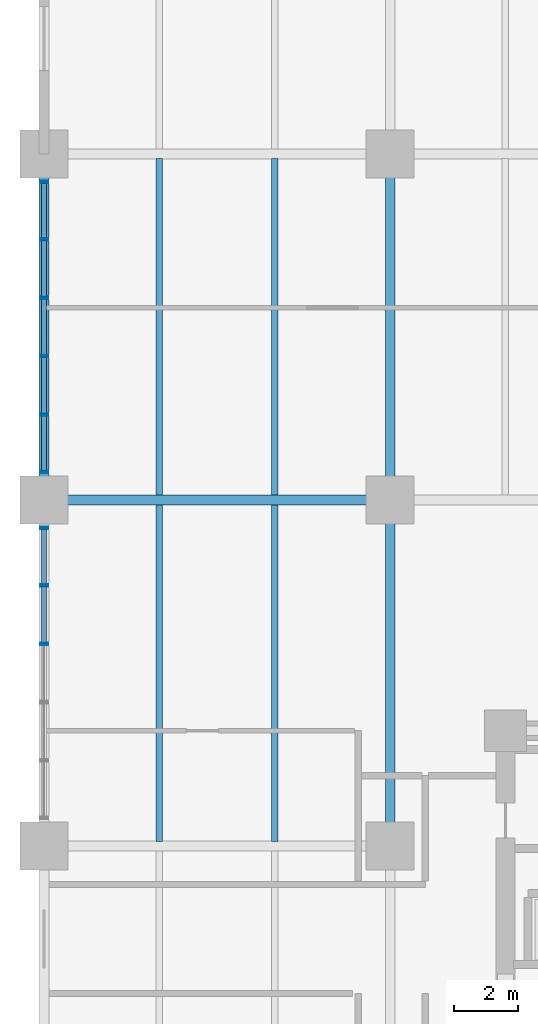
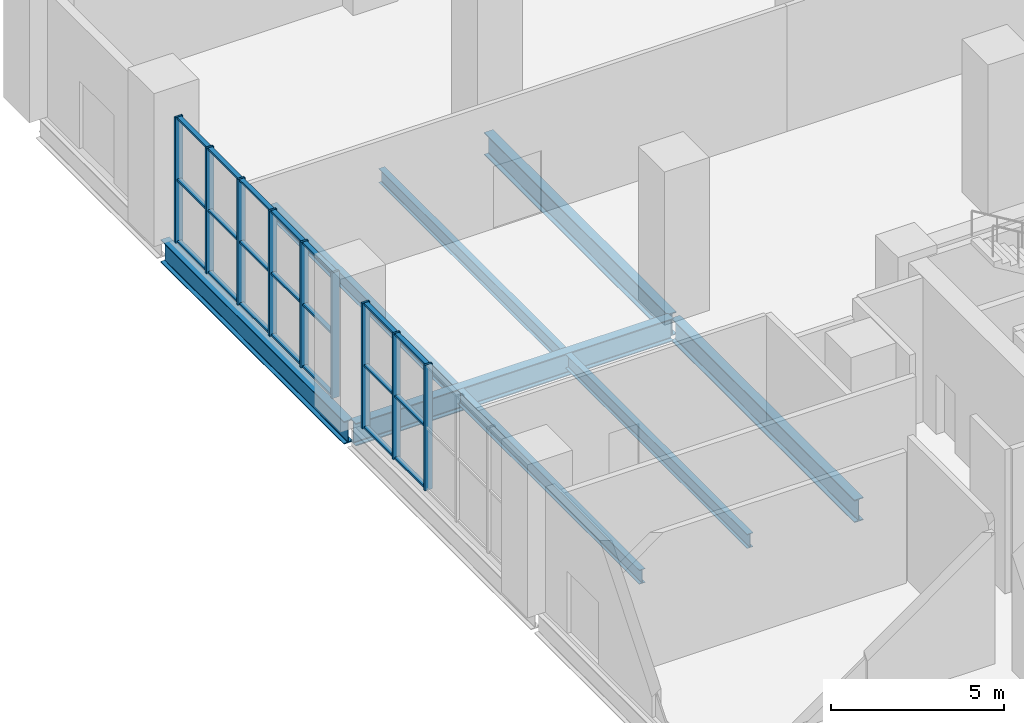
# One storey, part 10 of 22: 30 members, 8 beams, 2 elements without a shape of their own.
"""IFC4 building model written with IfcOpenShell, lengths in metres."""

from ifc_helpers import new_model, si_unit, direction, frame, origin, origin_2d, place, context, subcontext, project, spatial, hollow_rectangle, i_section, extrude, material, layer, layer_set, material_profile, profile_set, type_object, element, aggregate, save


model = new_model("IFC4")

# Units and contexts
model_context = context("Model", 3, precision=1e-05, world=origin(), true_north=direction((0.0, 1.0)))
body_context = subcontext(model_context, "Body", "Model", "MODEL_VIEW")
ifc_project = project(units=[si_unit("LENGTHUNIT", "METRE"), si_unit("AREAUNIT", "SQUARE_METRE"), si_unit("VOLUMEUNIT", "CUBIC_METRE"), si_unit("PLANEANGLEUNIT", "RADIAN"), si_unit("MASSUNIT", "GRAM", prefix="KILO")], contexts=[model_context])

# Site, building, storey
site_placement = place(None, origin())
site = spatial("IfcSite", under=ifc_project, at=site_placement, CompositionType="ELEMENT")
building_placement = place(site_placement, origin())
building = spatial("IfcBuilding", under=site, at=building_placement, Name="Solnavia Interchange Tower", CompositionType="ELEMENT")
storey_placement = place(building_placement, origin())
storey = spatial("IfcBuildingStorey", under=building, at=storey_placement, Name="L00", CompositionType="ELEMENT", Elevation=0.0)

# Beams
ifc_material_1 = material(Name="Steel S460", Category="steel")
ifc_material_profile_1 = material_profile(ifc_material_1, i_section(OverallWidth=0.300048828125, OverallDepth=0.800048828125, WebThickness=0.017578125, FlangeThickness=0.032958984375, FilletRadius=0.030029296875, at=origin_2d()), Name="HEB 800")
ifc_profile_set_1 = profile_set([ifc_material_profile_1], Name="Steel S460")
beam_type_1 = type_object("IfcBeamType", Name="Beam-Girder-HEB800", PredefinedType="BEAM", material=ifc_profile_set_1)
beam_placement = place(storey_placement, frame((0.10009765625, 32.39990234375, -0.75), z_axis=(1.0, 0.0, 0.0), x_axis=(0.0, 1.0, 0.0)))
element("IfcBeam", 1, at=beam_placement, inside=storey, type_object=beam_type_1, Name="GRD-L00-24 Podium primary girder", PredefinedType="BEAM", context=body_context, shape_type="SweptSolid", body=[
    extrude(i_section(OverallWidth=0.300048828125, OverallDepth=0.800048828125, WebThickness=0.017578125, FlangeThickness=0.032958984375, FilletRadius=0.030029296875, at=origin_2d()), origin(), (0.0, 0.0, 1.0), 10.599853515625),
])
for number, where, z_axis, x_axis, name in (
    (2, (0.0, 32.5, -0.75), (0.0, 1.0, 0.0), (-1.0, 0.0, 0.0), "GRD-L00-46 Podium primary girder"),
    (3, (10.800048828125, 21.699951171875, -0.75), (0.0, 1.0, 0.0), (-1.0, 0.0, 0.0), "GRD-L00-50 Podium primary girder"),
    (4, (10.800048828125, 32.5, -0.75), (0.0, 1.0, 0.0), (-1.0, 0.0, 0.0), "GRD-L00-51 Podium primary girder"),
):
    element("IfcBeam", number, at=place(storey_placement, frame(where, z_axis=z_axis, x_axis=x_axis)), inside=storey, type_object=beam_type_1, Name=name, PredefinedType="BEAM", context=body_context, shape_type="SweptSolid", body=[
        extrude(i_section(OverallWidth=0.300048828125, OverallDepth=0.800048828125, WebThickness=0.017578125, FlangeThickness=0.032958984375, FilletRadius=0.030029296875, at=origin_2d()), origin(), (0.0, 0.0, 1.0), 10.60009765625),
    ])
ifc_material_2 = material(Name="Steel S355", Category="steel")
ifc_material_profile_2 = material_profile(ifc_material_2, i_section(OverallWidth=0.199951171875, OverallDepth=0.5, WebThickness=0.01025390625, FlangeThickness=0.01611328125, FilletRadius=0.02099609375, at=origin_2d()), Name="IPE 500")
ifc_profile_set_2 = profile_set([ifc_material_profile_2], Name="Steel S355")
beam_type_2 = type_object("IfcBeamType", Name="Beam-Joist-IPE500", PredefinedType="JOIST", material=ifc_profile_set_2)
for number, where, z_axis, x_axis, name in (
    (5, (3.60009765625, 21.75, -0.60009765625), (0.0, 1.0, 0.0), (-1.0, 0.0, 0.0), "JST-L00-03 Podium composite floor joist"),
    (6, (3.60009765625, 32.550048828125, -0.60009765625), (0.0, 1.0, 0.0), (-1.0, 0.0, 0.0), "JST-L00-04 Podium composite floor joist"),
    (7, (7.199951171875, 21.75, -0.60009765625), (0.0, 1.0, 0.0), (-1.0, 0.0, 0.0), "JST-L00-08 Podium composite floor joist"),
    (8, (7.199951171875, 32.550048828125, -0.60009765625), (0.0, 1.0, 0.0), (-1.0, 0.0, 0.0), "JST-L00-09 Podium composite floor joist"),
):
    element("IfcBeam", number, at=place(storey_placement, frame(where, z_axis=z_axis, x_axis=x_axis)), inside=storey, type_object=beam_type_2, Name=name, PredefinedType="JOIST", context=body_context, shape_type="SweptSolid", body=[
        extrude(i_section(OverallWidth=0.199951171875, OverallDepth=0.5, WebThickness=0.01025390625, FlangeThickness=0.01611328125, FilletRadius=0.02099609375, at=origin_2d()), origin(), (0.0, 0.0, 1.0), 10.5),
    ])

# Curtain wall, members
ifc_material_3 = material(Name="Aluminium Alloy 6063-T6", Category="aluminium")
ifc_layer = layer(ifc_material_3, 0.27001953125)
ifc_layer_set = layer_set([ifc_layer], Name="Aluminium Alloy 6063-T6")
curtain_wall_type = type_object("IfcCurtainWallType", Name="CurtainWall-Podium-CTW1", PredefinedType="NOTDEFINED", material=ifc_layer_set)
curtain_wall_1_placement = place(storey_placement, origin())
curtain_wall_1 = element("IfcCurtainWall", 9, at=curtain_wall_1_placement, inside=storey, type_object=curtain_wall_type, Name="CTW-L00-W21 CTW-1 curtain wall", PredefinedType="NOTDEFINED")
ifc_material_profile_3 = material_profile(ifc_material_3, hollow_rectangle(XDim=0.080078125, YDim=0.25, WallThickness=0.006103515625, at=origin_2d()), Name="ALU 250x80x6")
ifc_profile_set_3 = profile_set([ifc_material_profile_3], Name="Aluminium Alloy 6063-T6")
member_type_1 = type_object("IfcMemberType", Name="CW-Mullion-CWM-1", PredefinedType="MULLION", material=ifc_profile_set_3)
member_1_placement = place(storey_placement, frame((0.0, 27.912109375, 0.0), z_axis=(0.0, 0.0, 1.0), x_axis=(0.0, 1.0, 0.0)))
member_1 = element("IfcMember", 10, at=member_1_placement, type_object=member_type_1, Name="CTW-1 mullion 4", PredefinedType="MULLION", context=body_context, shape_type="SweptSolid", body=[
    extrude(hollow_rectangle(XDim=0.080078125, YDim=0.25, WallThickness=0.006103515625, at=origin_2d()), origin(), (0.0, 0.0, 1.0), 4.429931640625),
])
member_2_placement = place(storey_placement, frame((0.0, 29.736083984375, 0.0), z_axis=(0.0, 0.0, 1.0), x_axis=(0.0, 1.0, 0.0)))
member_2 = element("IfcMember", 11, at=member_2_placement, type_object=member_type_1, Name="CTW-1 mullion 5", PredefinedType="MULLION", context=body_context, shape_type="SweptSolid", body=[
    extrude(hollow_rectangle(XDim=0.080078125, YDim=0.25, WallThickness=0.006103515625, at=origin_2d()), origin(), (0.0, 0.0, 1.0), 4.429931640625),
])
member_3_placement = place(storey_placement, frame((0.0, 31.52001953125, 0.0), z_axis=(0.0, 0.0, 1.0), x_axis=(0.0, 1.0, 0.0)))
member_3 = element("IfcMember", 12, at=member_3_placement, type_object=member_type_1, Name="CTW-1 mullion 6", PredefinedType="MULLION", context=body_context, shape_type="SweptSolid", body=[
    extrude(hollow_rectangle(XDim=0.080078125, YDim=0.25, WallThickness=0.006103515625, at=origin_2d()), origin(), (0.0, 0.0, 1.0), 4.429931640625),
])

curtain_wall_2_placement = place(storey_placement, origin())
curtain_wall_2 = element("IfcCurtainWall", 13, at=curtain_wall_2_placement, inside=storey, type_object=curtain_wall_type, Name="CTW-L00-W32 CTW-1 curtain wall", PredefinedType="NOTDEFINED")
member_4_placement = place(storey_placement, frame((0.0, 33.280029296875, 0.0), z_axis=(0.0, 0.0, 1.0), x_axis=(0.0, 1.0, 0.0)))
member_4 = element("IfcMember", 14, at=member_4_placement, type_object=member_type_1, Name="CTW-1 mullion 1", PredefinedType="MULLION", context=body_context, shape_type="SweptSolid", body=[
    extrude(hollow_rectangle(XDim=0.080078125, YDim=0.25, WallThickness=0.006103515625, at=origin_2d()), origin(), (0.0, 0.0, 1.0), 4.429931640625),
])
member_5_placement = place(storey_placement, frame((0.0, 35.06396484375, 0.0), z_axis=(0.0, 0.0, 1.0), x_axis=(0.0, 1.0, 0.0)))
member_5 = element("IfcMember", 15, at=member_5_placement, type_object=member_type_1, Name="CTW-1 mullion 2", PredefinedType="MULLION", context=body_context, shape_type="SweptSolid", body=[
    extrude(hollow_rectangle(XDim=0.080078125, YDim=0.25, WallThickness=0.006103515625, at=origin_2d()), origin(), (0.0, 0.0, 1.0), 4.429931640625),
])
member_6_placement = place(storey_placement, frame((0.0, 36.887939453125, 0.0), z_axis=(0.0, 0.0, 1.0), x_axis=(0.0, 1.0, 0.0)))
member_6 = element("IfcMember", 16, at=member_6_placement, type_object=member_type_1, Name="CTW-1 mullion 3", PredefinedType="MULLION", context=body_context, shape_type="SweptSolid", body=[
    extrude(hollow_rectangle(XDim=0.080078125, YDim=0.25, WallThickness=0.006103515625, at=origin_2d()), origin(), (0.0, 0.0, 1.0), 4.429931640625),
])
member_7_placement = place(storey_placement, frame((0.0, 38.7119140625, 0.0), z_axis=(0.0, 0.0, 1.0), x_axis=(0.0, 1.0, 0.0)))
member_7 = element("IfcMember", 17, at=member_7_placement, type_object=member_type_1, Name="CTW-1 mullion 4", PredefinedType="MULLION", context=body_context, shape_type="SweptSolid", body=[
    extrude(hollow_rectangle(XDim=0.080078125, YDim=0.25, WallThickness=0.006103515625, at=origin_2d()), origin(), (0.0, 0.0, 1.0), 4.429931640625),
])
member_8_placement = place(storey_placement, frame((0.0, 40.535888671875, 0.0), z_axis=(0.0, 0.0, 1.0), x_axis=(0.0, 1.0, 0.0)))
member_8 = element("IfcMember", 18, at=member_8_placement, type_object=member_type_1, Name="CTW-1 mullion 5", PredefinedType="MULLION", context=body_context, shape_type="SweptSolid", body=[
    extrude(hollow_rectangle(XDim=0.080078125, YDim=0.25, WallThickness=0.006103515625, at=origin_2d()), origin(), (0.0, 0.0, 1.0), 4.429931640625),
])
member_9_placement = place(storey_placement, frame((0.0, 42.320068359375, 0.0), z_axis=(0.0, 0.0, 1.0), x_axis=(0.0, 1.0, 0.0)))
member_9 = element("IfcMember", 19, at=member_9_placement, type_object=member_type_1, Name="CTW-1 mullion 6", PredefinedType="MULLION", context=body_context, shape_type="SweptSolid", body=[
    extrude(hollow_rectangle(XDim=0.080078125, YDim=0.25, WallThickness=0.006103515625, at=origin_2d()), origin(), (0.0, 0.0, 1.0), 4.429931640625),
])

# Member
ifc_material_profile_4 = material_profile(ifc_material_3, hollow_rectangle(XDim=0.070068359375, YDim=0.14990234375, WallThickness=0.00439453125, at=origin_2d()), Name="ALU 150x70x4.5")
ifc_profile_set_4 = profile_set([ifc_material_profile_4], Name="Aluminium Alloy 6063-T6")
member_type_2 = type_object("IfcMemberType", Name="CW-Transom-CWT-1", PredefinedType="USERDEFINED", material=ifc_profile_set_4)
member_10_placement = place(storey_placement, frame((0.0, 27.951904296875, 0.034912109375), z_axis=(0.0, 1.0, 0.0), x_axis=(0.0, 0.0, 1.0)))
member_10 = element("IfcMember", 20, at=member_10_placement, type_object=member_type_2, Name="CTW-1 transom 4.1", ObjectType="TRANSOM", PredefinedType="USERDEFINED", context=body_context, shape_type="SweptSolid", body=[
    extrude(hollow_rectangle(XDim=0.070068359375, YDim=0.14990234375, WallThickness=0.00439453125, at=origin_2d()), origin(), (0.0, 0.0, 1.0), 1.744140625),
])

member_11_placement = place(storey_placement, frame((0.0, 27.951904296875, 2.215087890625), z_axis=(0.0, 1.0, 0.0), x_axis=(0.0, 0.0, 1.0)))
member_11 = element("IfcMember", 21, at=member_11_placement, type_object=member_type_2, Name="CTW-1 transom 4.2", ObjectType="TRANSOM", PredefinedType="USERDEFINED", context=body_context, shape_type="SweptSolid", body=[
    extrude(hollow_rectangle(XDim=0.070068359375, YDim=0.14990234375, WallThickness=0.00439453125, at=origin_2d()), origin(), (0.0, 0.0, 1.0), 1.744140625),
])

member_12_placement = place(storey_placement, frame((0.0, 27.951904296875, 4.39501953125), z_axis=(0.0, 1.0, 0.0), x_axis=(0.0, 0.0, 1.0)))
member_12 = element("IfcMember", 22, at=member_12_placement, type_object=member_type_2, Name="CTW-1 transom 4.3", ObjectType="TRANSOM", PredefinedType="USERDEFINED", context=body_context, shape_type="SweptSolid", body=[
    extrude(hollow_rectangle(XDim=0.070068359375, YDim=0.14990234375, WallThickness=0.00439453125, at=origin_2d()), origin(), (0.0, 0.0, 1.0), 1.744140625),
])

member_13_placement = place(storey_placement, frame((0.0, 29.77587890625, 0.034912109375), z_axis=(0.0, 1.0, 0.0), x_axis=(0.0, 0.0, 1.0)))
member_13 = element("IfcMember", 23, at=member_13_placement, type_object=member_type_2, Name="CTW-1 transom 5.1", ObjectType="TRANSOM", PredefinedType="USERDEFINED", context=body_context, shape_type="SweptSolid", body=[
    extrude(hollow_rectangle(XDim=0.070068359375, YDim=0.14990234375, WallThickness=0.00439453125, at=origin_2d()), origin(), (0.0, 0.0, 1.0), 1.7041015625),
])

member_14_placement = place(storey_placement, frame((0.0, 29.77587890625, 2.215087890625), z_axis=(0.0, 1.0, 0.0), x_axis=(0.0, 0.0, 1.0)))
member_14 = element("IfcMember", 24, at=member_14_placement, type_object=member_type_2, Name="CTW-1 transom 5.2", ObjectType="TRANSOM", PredefinedType="USERDEFINED", context=body_context, shape_type="SweptSolid", body=[
    extrude(hollow_rectangle(XDim=0.070068359375, YDim=0.14990234375, WallThickness=0.00439453125, at=origin_2d()), origin(), (0.0, 0.0, 1.0), 1.7041015625),
])

member_15_placement = place(storey_placement, frame((0.0, 29.77587890625, 4.39501953125), z_axis=(0.0, 1.0, 0.0), x_axis=(0.0, 0.0, 1.0)))
member_15 = element("IfcMember", 25, at=member_15_placement, type_object=member_type_2, Name="CTW-1 transom 5.3", ObjectType="TRANSOM", PredefinedType="USERDEFINED", context=body_context, shape_type="SweptSolid", body=[
    extrude(hollow_rectangle(XDim=0.070068359375, YDim=0.14990234375, WallThickness=0.00439453125, at=origin_2d()), origin(), (0.0, 0.0, 1.0), 1.7041015625),
])

aggregate(curtain_wall_1, [member_1, member_2, member_3, member_10, member_11, member_12, member_13, member_14, member_15])

member_16_placement = place(storey_placement, frame((0.0, 33.320068359375, 0.034912109375), z_axis=(0.0, 1.0, 0.0), x_axis=(0.0, 0.0, 1.0)))
member_16 = element("IfcMember", 26, at=member_16_placement, type_object=member_type_2, Name="CTW-1 transom 1.1", ObjectType="TRANSOM", PredefinedType="USERDEFINED", context=body_context, shape_type="SweptSolid", body=[
    extrude(hollow_rectangle(XDim=0.070068359375, YDim=0.14990234375, WallThickness=0.00439453125, at=origin_2d()), origin(), (0.0, 0.0, 1.0), 1.703857421875),
])

member_17_placement = place(storey_placement, frame((0.0, 33.320068359375, 2.215087890625), z_axis=(0.0, 1.0, 0.0), x_axis=(0.0, 0.0, 1.0)))
member_17 = element("IfcMember", 27, at=member_17_placement, type_object=member_type_2, Name="CTW-1 transom 1.2", ObjectType="TRANSOM", PredefinedType="USERDEFINED", context=body_context, shape_type="SweptSolid", body=[
    extrude(hollow_rectangle(XDim=0.070068359375, YDim=0.14990234375, WallThickness=0.00439453125, at=origin_2d()), origin(), (0.0, 0.0, 1.0), 1.703857421875),
])

member_18_placement = place(storey_placement, frame((0.0, 33.320068359375, 4.39501953125), z_axis=(0.0, 1.0, 0.0), x_axis=(0.0, 0.0, 1.0)))
member_18 = element("IfcMember", 28, at=member_18_placement, type_object=member_type_2, Name="CTW-1 transom 1.3", ObjectType="TRANSOM", PredefinedType="USERDEFINED", context=body_context, shape_type="SweptSolid", body=[
    extrude(hollow_rectangle(XDim=0.070068359375, YDim=0.14990234375, WallThickness=0.00439453125, at=origin_2d()), origin(), (0.0, 0.0, 1.0), 1.703857421875),
])

member_19_placement = place(storey_placement, frame((0.0, 35.10400390625, 0.034912109375), z_axis=(0.0, 1.0, 0.0), x_axis=(0.0, 0.0, 1.0)))
member_19 = element("IfcMember", 29, at=member_19_placement, type_object=member_type_2, Name="CTW-1 transom 2.1", ObjectType="TRANSOM", PredefinedType="USERDEFINED", context=body_context, shape_type="SweptSolid", body=[
    extrude(hollow_rectangle(XDim=0.070068359375, YDim=0.14990234375, WallThickness=0.00439453125, at=origin_2d()), origin(), (0.0, 0.0, 1.0), 1.743896484375),
])

member_20_placement = place(storey_placement, frame((0.0, 35.10400390625, 2.215087890625), z_axis=(0.0, 1.0, 0.0), x_axis=(0.0, 0.0, 1.0)))
member_20 = element("IfcMember", 30, at=member_20_placement, type_object=member_type_2, Name="CTW-1 transom 2.2", ObjectType="TRANSOM", PredefinedType="USERDEFINED", context=body_context, shape_type="SweptSolid", body=[
    extrude(hollow_rectangle(XDim=0.070068359375, YDim=0.14990234375, WallThickness=0.00439453125, at=origin_2d()), origin(), (0.0, 0.0, 1.0), 1.743896484375),
])

member_21_placement = place(storey_placement, frame((0.0, 35.10400390625, 4.39501953125), z_axis=(0.0, 1.0, 0.0), x_axis=(0.0, 0.0, 1.0)))
member_21 = element("IfcMember", 31, at=member_21_placement, type_object=member_type_2, Name="CTW-1 transom 2.3", ObjectType="TRANSOM", PredefinedType="USERDEFINED", context=body_context, shape_type="SweptSolid", body=[
    extrude(hollow_rectangle(XDim=0.070068359375, YDim=0.14990234375, WallThickness=0.00439453125, at=origin_2d()), origin(), (0.0, 0.0, 1.0), 1.743896484375),
])

member_22_placement = place(storey_placement, frame((0.0, 36.927978515625, 0.034912109375), z_axis=(0.0, 1.0, 0.0), x_axis=(0.0, 0.0, 1.0)))
member_22 = element("IfcMember", 32, at=member_22_placement, type_object=member_type_2, Name="CTW-1 transom 3.1", ObjectType="TRANSOM", PredefinedType="USERDEFINED", context=body_context, shape_type="SweptSolid", body=[
    extrude(hollow_rectangle(XDim=0.070068359375, YDim=0.14990234375, WallThickness=0.00439453125, at=origin_2d()), origin(), (0.0, 0.0, 1.0), 1.744140625),
])

member_23_placement = place(storey_placement, frame((0.0, 36.927978515625, 2.215087890625), z_axis=(0.0, 1.0, 0.0), x_axis=(0.0, 0.0, 1.0)))
member_23 = element("IfcMember", 33, at=member_23_placement, type_object=member_type_2, Name="CTW-1 transom 3.2", ObjectType="TRANSOM", PredefinedType="USERDEFINED", context=body_context, shape_type="SweptSolid", body=[
    extrude(hollow_rectangle(XDim=0.070068359375, YDim=0.14990234375, WallThickness=0.00439453125, at=origin_2d()), origin(), (0.0, 0.0, 1.0), 1.744140625),
])

member_24_placement = place(storey_placement, frame((0.0, 36.927978515625, 4.39501953125), z_axis=(0.0, 1.0, 0.0), x_axis=(0.0, 0.0, 1.0)))
member_24 = element("IfcMember", 34, at=member_24_placement, type_object=member_type_2, Name="CTW-1 transom 3.3", ObjectType="TRANSOM", PredefinedType="USERDEFINED", context=body_context, shape_type="SweptSolid", body=[
    extrude(hollow_rectangle(XDim=0.070068359375, YDim=0.14990234375, WallThickness=0.00439453125, at=origin_2d()), origin(), (0.0, 0.0, 1.0), 1.744140625),
])

member_25_placement = place(storey_placement, frame((0.0, 38.751953125, 0.034912109375), z_axis=(0.0, 1.0, 0.0), x_axis=(0.0, 0.0, 1.0)))
member_25 = element("IfcMember", 35, at=member_25_placement, type_object=member_type_2, Name="CTW-1 transom 4.1", ObjectType="TRANSOM", PredefinedType="USERDEFINED", context=body_context, shape_type="SweptSolid", body=[
    extrude(hollow_rectangle(XDim=0.070068359375, YDim=0.14990234375, WallThickness=0.00439453125, at=origin_2d()), origin(), (0.0, 0.0, 1.0), 1.744140625),
])

member_26_placement = place(storey_placement, frame((0.0, 38.751953125, 2.215087890625), z_axis=(0.0, 1.0, 0.0), x_axis=(0.0, 0.0, 1.0)))
member_26 = element("IfcMember", 36, at=member_26_placement, type_object=member_type_2, Name="CTW-1 transom 4.2", ObjectType="TRANSOM", PredefinedType="USERDEFINED", context=body_context, shape_type="SweptSolid", body=[
    extrude(hollow_rectangle(XDim=0.070068359375, YDim=0.14990234375, WallThickness=0.00439453125, at=origin_2d()), origin(), (0.0, 0.0, 1.0), 1.744140625),
])

member_27_placement = place(storey_placement, frame((0.0, 38.751953125, 4.39501953125), z_axis=(0.0, 1.0, 0.0), x_axis=(0.0, 0.0, 1.0)))
member_27 = element("IfcMember", 37, at=member_27_placement, type_object=member_type_2, Name="CTW-1 transom 4.3", ObjectType="TRANSOM", PredefinedType="USERDEFINED", context=body_context, shape_type="SweptSolid", body=[
    extrude(hollow_rectangle(XDim=0.070068359375, YDim=0.14990234375, WallThickness=0.00439453125, at=origin_2d()), origin(), (0.0, 0.0, 1.0), 1.744140625),
])

member_28_placement = place(storey_placement, frame((0.0, 40.575927734375, 0.034912109375), z_axis=(0.0, 1.0, 0.0), x_axis=(0.0, 0.0, 1.0)))
member_28 = element("IfcMember", 38, at=member_28_placement, type_object=member_type_2, Name="CTW-1 transom 5.1", ObjectType="TRANSOM", PredefinedType="USERDEFINED", context=body_context, shape_type="SweptSolid", body=[
    extrude(hollow_rectangle(XDim=0.070068359375, YDim=0.14990234375, WallThickness=0.00439453125, at=origin_2d()), origin(), (0.0, 0.0, 1.0), 1.7041015625),
])

member_29_placement = place(storey_placement, frame((0.0, 40.575927734375, 2.215087890625), z_axis=(0.0, 1.0, 0.0), x_axis=(0.0, 0.0, 1.0)))
member_29 = element("IfcMember", 39, at=member_29_placement, type_object=member_type_2, Name="CTW-1 transom 5.2", ObjectType="TRANSOM", PredefinedType="USERDEFINED", context=body_context, shape_type="SweptSolid", body=[
    extrude(hollow_rectangle(XDim=0.070068359375, YDim=0.14990234375, WallThickness=0.00439453125, at=origin_2d()), origin(), (0.0, 0.0, 1.0), 1.7041015625),
])

member_30_placement = place(storey_placement, frame((0.0, 40.575927734375, 4.39501953125), z_axis=(0.0, 1.0, 0.0), x_axis=(0.0, 0.0, 1.0)))
member_30 = element("IfcMember", 40, at=member_30_placement, type_object=member_type_2, Name="CTW-1 transom 5.3", ObjectType="TRANSOM", PredefinedType="USERDEFINED", context=body_context, shape_type="SweptSolid", body=[
    extrude(hollow_rectangle(XDim=0.070068359375, YDim=0.14990234375, WallThickness=0.00439453125, at=origin_2d()), origin(), (0.0, 0.0, 1.0), 1.7041015625),
])

aggregate(curtain_wall_2, [member_4, member_5, member_6, member_7, member_8, member_9, member_16, member_17, member_18, member_19, member_20, member_21, member_22, member_23, member_24, member_25, member_26, member_27, member_28, member_29, member_30])

save(model, "model.ifc")
